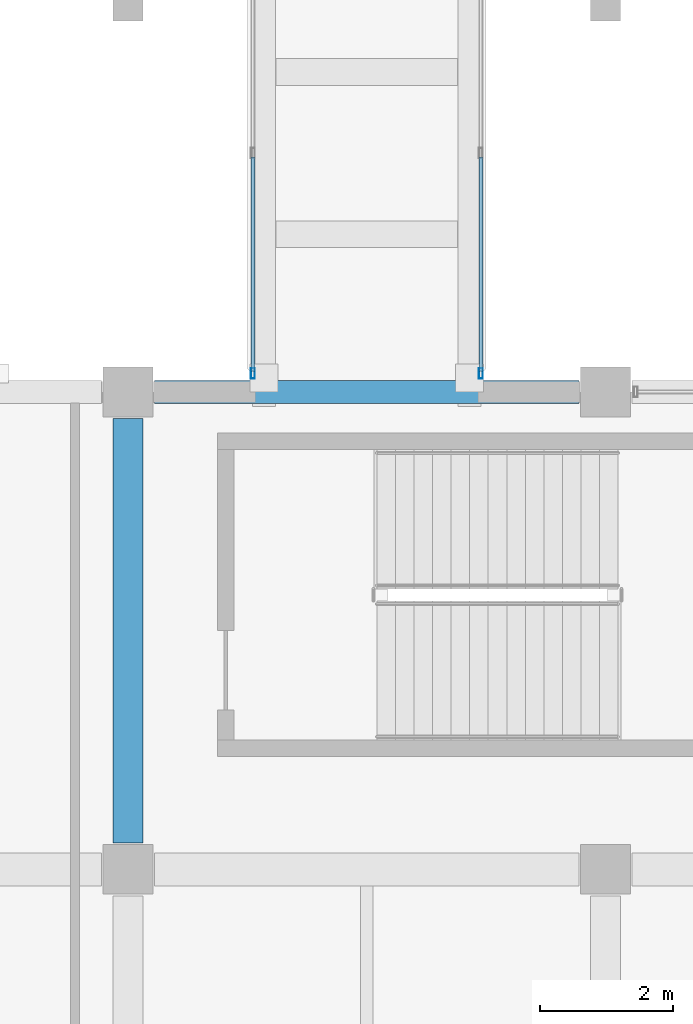
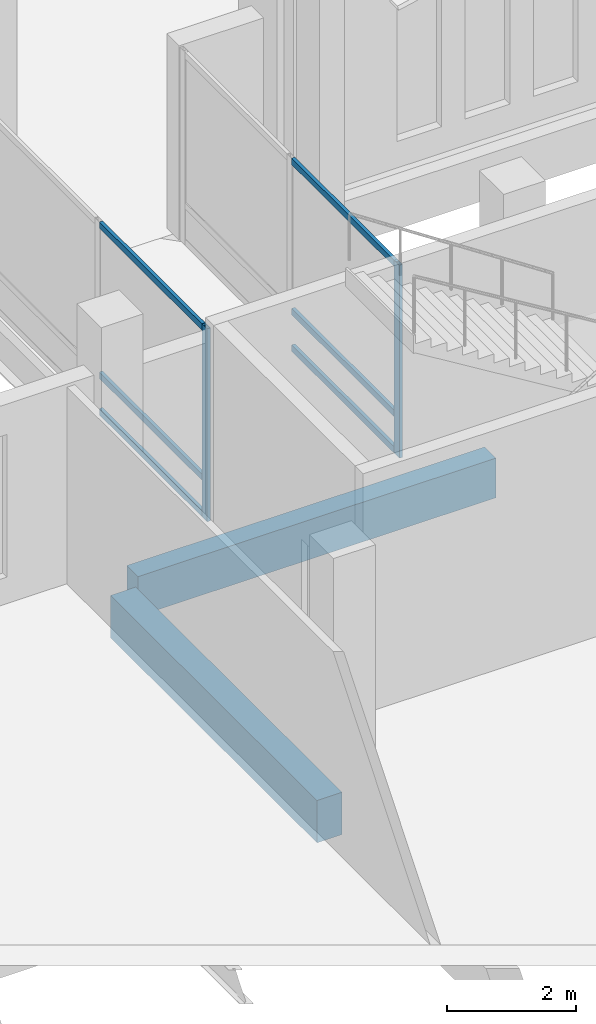
# One storey, part 65 of 193: 8 members, 2 beams, 2 elements without a shape of their own.
"""IFC4 building model written with IfcOpenShell, lengths in metres."""

from ifc_helpers import new_model, si_unit, direction, frame, origin, origin_2d, place, context, subcontext, project, spatial, rectangle, hollow_rectangle, extrude, material, material_profile, profile_set, type_object, element, aggregate, save


model = new_model("IFC4")

# Units and contexts
model_context = context("Model", 3, precision=1e-05, world=origin(), true_north=direction((0.0, 1.0)))
body_context = subcontext(model_context, "Body", "Model", "MODEL_VIEW")
ifc_project = project(units=[si_unit("LENGTHUNIT", "METRE"), si_unit("AREAUNIT", "SQUARE_METRE"), si_unit("VOLUMEUNIT", "CUBIC_METRE"), si_unit("PLANEANGLEUNIT", "RADIAN"), si_unit("MASSUNIT", "GRAM", prefix="KILO")], contexts=[model_context])

# Site, building, storey
site_placement = place(None, origin())
site = spatial("IfcSite", under=ifc_project, at=site_placement, CompositionType="ELEMENT")
building_placement = place(site_placement, origin())
building = spatial("IfcBuilding", under=site, at=building_placement, Name="Cendralis Lancet Convention Centre", CompositionType="ELEMENT")
storey_placement = place(building_placement, frame((0.0, 0.0, 10.199951171875)))
storey = spatial("IfcBuildingStorey", under=building, at=storey_placement, Name="L02", CompositionType="ELEMENT", Elevation=10.199951171875)

# Curtain wall, member
ifc_material_1 = material(Name="Anodised bronze architectural aluminium", Category="aluminium")
curtain_wall_type = type_object("IfcCurtainWallType", Name="ARC-CW-BR01", PredefinedType="USERDEFINED", material=ifc_material_1)
curtain_wall_1_placement = place(storey_placement, origin())
curtain_wall_1 = element("IfcCurtainWall", 1, at=curtain_wall_1_placement, inside=storey, type_object=curtain_wall_type, Name="L02 Curtain Wall CW-BR1 #215", ObjectType="CURTAIN WALL", PredefinedType="USERDEFINED")
ifc_material_profile_1 = material_profile(ifc_material_1, hollow_rectangle(XDim=0.06005859375, YDim=0.159912109375, WallThickness=0.00390625, at=origin_2d()), Name="AL-MULL 60x160x4.0")
ifc_profile_set_1 = profile_set([ifc_material_profile_1], Name="Anodised bronze architectural aluminium")
member_type_1 = type_object("IfcMemberType", Name="ARC-CW-ML01", PredefinedType="MULLION", material=ifc_profile_set_1)
member_1_placement = place(storey_placement, frame((148.280029296875, 36.280029296875, 0.0), z_axis=(0.0, 0.0, 1.0), x_axis=(1.0, 0.0, 0.0)))
member_1 = element("IfcMember", 2, at=member_1_placement, type_object=member_type_1, Name="Mullion CW2-CW-BR1-L02-215-M0", PredefinedType="MULLION", context=body_context, shape_type="SweptSolid", body=[
    extrude(hollow_rectangle(XDim=0.06005859375, YDim=0.159912109375, WallThickness=0.00390625, at=origin_2d()), origin(), (0.0, 0.0, 1.0), 3.650146484375),
])

curtain_wall_2_placement = place(storey_placement, origin())
curtain_wall_2 = element("IfcCurtainWall", 3, at=curtain_wall_2_placement, inside=storey, type_object=curtain_wall_type, Name="L02 Curtain Wall CW-BR1 #216", ObjectType="CURTAIN WALL", PredefinedType="USERDEFINED")
member_2_placement = place(storey_placement, frame((151.719970703125, 36.280029296875, 0.0), z_axis=(0.0, 0.0, 1.0), x_axis=(1.0, 0.0, 0.0)))
member_2 = element("IfcMember", 4, at=member_2_placement, type_object=member_type_1, Name="Mullion CW2-CW-BR1-L02-216-M0", PredefinedType="MULLION", context=body_context, shape_type="SweptSolid", body=[
    extrude(hollow_rectangle(XDim=0.06005859375, YDim=0.159912109375, WallThickness=0.00390625, at=origin_2d()), origin(), (0.0, 0.0, 1.0), 3.650146484375),
])

# Member
ifc_material_profile_2 = material_profile(ifc_material_1, hollow_rectangle(XDim=0.06005859375, YDim=0.1201171875, WallThickness=0.00390625, at=origin_2d()), Name="AL-TRAN 60x120x4.0")
ifc_profile_set_2 = profile_set([ifc_material_profile_2], Name="Anodised bronze architectural aluminium")
member_type_2 = type_object("IfcMemberType", Name="ARC-CW-TR01", PredefinedType="USERDEFINED", material=ifc_profile_set_2)
member_3_placement = place(storey_placement, frame((148.280029296875, 36.31005859375, 0.06005859375), z_axis=(0.0, 1.0, 0.0), x_axis=(-1.0, 0.0, 0.0)))
member_3 = element("IfcMember", 5, at=member_3_placement, type_object=member_type_2, Name="Transom CW2-CW-BR1-L02-215-T0BOT", ObjectType="TRANSOM", PredefinedType="USERDEFINED", context=body_context, shape_type="SweptSolid", body=[
    extrude(hollow_rectangle(XDim=0.06005859375, YDim=0.1201171875, WallThickness=0.00390625, at=origin_2d()), origin(), (0.0, 0.0, 1.0), 3.22998046875),
])

member_4_placement = place(storey_placement, frame((148.280029296875, 36.31005859375, 0.75), z_axis=(0.0, 1.0, 0.0), x_axis=(-1.0, 0.0, 0.0)))
member_4 = element("IfcMember", 6, at=member_4_placement, type_object=member_type_2, Name="Transom CW2-CW-BR1-L02-215-T0MID", ObjectType="TRANSOM", PredefinedType="USERDEFINED", context=body_context, shape_type="SweptSolid", body=[
    extrude(hollow_rectangle(XDim=0.06005859375, YDim=0.1201171875, WallThickness=0.00390625, at=origin_2d()), origin(), (0.0, 0.0, 1.0), 3.22998046875),
])

member_5_placement = place(storey_placement, frame((148.280029296875, 36.31005859375, 3.590087890625), z_axis=(0.0, 1.0, 0.0), x_axis=(-1.0, 0.0, 0.0)))
member_5 = element("IfcMember", 7, at=member_5_placement, type_object=member_type_2, Name="Transom CW2-CW-BR1-L02-215-T0TOP", ObjectType="TRANSOM", PredefinedType="USERDEFINED", context=body_context, shape_type="SweptSolid", body=[
    extrude(hollow_rectangle(XDim=0.06005859375, YDim=0.1201171875, WallThickness=0.00390625, at=origin_2d()), origin(), (0.0, 0.0, 1.0), 3.22998046875),
])

aggregate(curtain_wall_1, [member_1, member_3, member_4, member_5])

member_6_placement = place(storey_placement, frame((151.719970703125, 36.31005859375, 0.06005859375), z_axis=(0.0, 1.0, 0.0), x_axis=(-1.0, 0.0, 0.0)))
member_6 = element("IfcMember", 8, at=member_6_placement, type_object=member_type_2, Name="Transom CW2-CW-BR1-L02-216-T0BOT", ObjectType="TRANSOM", PredefinedType="USERDEFINED", context=body_context, shape_type="SweptSolid", body=[
    extrude(hollow_rectangle(XDim=0.06005859375, YDim=0.1201171875, WallThickness=0.00390625, at=origin_2d()), origin(), (0.0, 0.0, 1.0), 3.22998046875),
])

member_7_placement = place(storey_placement, frame((151.719970703125, 36.31005859375, 0.75), z_axis=(0.0, 1.0, 0.0), x_axis=(-1.0, 0.0, 0.0)))
member_7 = element("IfcMember", 9, at=member_7_placement, type_object=member_type_2, Name="Transom CW2-CW-BR1-L02-216-T0MID", ObjectType="TRANSOM", PredefinedType="USERDEFINED", context=body_context, shape_type="SweptSolid", body=[
    extrude(hollow_rectangle(XDim=0.06005859375, YDim=0.1201171875, WallThickness=0.00390625, at=origin_2d()), origin(), (0.0, 0.0, 1.0), 3.22998046875),
])

member_8_placement = place(storey_placement, frame((151.719970703125, 36.31005859375, 3.590087890625), z_axis=(0.0, 1.0, 0.0), x_axis=(-1.0, 0.0, 0.0)))
member_8 = element("IfcMember", 10, at=member_8_placement, type_object=member_type_2, Name="Transom CW2-CW-BR1-L02-216-T0TOP", ObjectType="TRANSOM", PredefinedType="USERDEFINED", context=body_context, shape_type="SweptSolid", body=[
    extrude(hollow_rectangle(XDim=0.06005859375, YDim=0.1201171875, WallThickness=0.00390625, at=origin_2d()), origin(), (0.0, 0.0, 1.0), 3.22998046875),
])

aggregate(curtain_wall_2, [member_2, member_6, member_7, member_8])

# Beams
ifc_material_2 = material(Name="Concrete G35 (C35/45)", Category="concrete")
ifc_material_profile_3 = material_profile(ifc_material_2, rectangle(XDim=0.449951171875, YDim=0.800048828125, at=origin_2d()), Name="RCB 450x800")
ifc_profile_set_3 = profile_set([ifc_material_profile_3], Name="Concrete G35 (C35/45)")
beam_type_1 = type_object("IfcBeamType", Name="STR-BM-BG10", PredefinedType="BEAM", material=ifc_profile_set_3)
beam_1_placement = place(storey_placement, frame((146.39990234375, 29.199951171875, -0.699951171875), z_axis=(0.0, 1.0, 0.0), x_axis=(-1.0, 0.0, 0.0)))
element("IfcBeam", 11, at=beam_1_placement, inside=storey, type_object=beam_type_1, Name="L02 Beam BG10 #0314", PredefinedType="BEAM", context=body_context, shape_type="SweptSolid", body=[
    extrude(rectangle(XDim=0.449951171875, YDim=0.800048828125, at=origin_2d()), origin(), (0.0, 0.0, 1.0), 6.400146484375),
])
ifc_material_3 = material(Name="Concrete G40 (C40/50)", Category="concrete")
ifc_material_profile_4 = material_profile(ifc_material_3, rectangle(XDim=0.35009765625, YDim=0.75, at=origin_2d()), Name="RCB 350x750")
ifc_profile_set_4 = profile_set([ifc_material_profile_4], Name="Concrete G40 (C40/50)")
beam_type_2 = type_object("IfcBeamType", Name="STR-SP-SP01", PredefinedType="SPANDREL", material=ifc_profile_set_4)
beam_2_placement = place(storey_placement, frame((146.800048828125, 36.0, -0.675048828125), z_axis=(1.0, 0.0, 0.0), x_axis=(0.0, 1.0, 0.0)))
element("IfcBeam", 12, at=beam_2_placement, inside=storey, type_object=beam_type_2, Name="L02 Beam SP01 #0295", PredefinedType="SPANDREL", context=body_context, shape_type="SweptSolid", body=[
    extrude(rectangle(XDim=0.35009765625, YDim=0.75, at=origin_2d()), origin(), (0.0, 0.0, 1.0), 6.39990234375),
])

save(model, "model.ifc")
